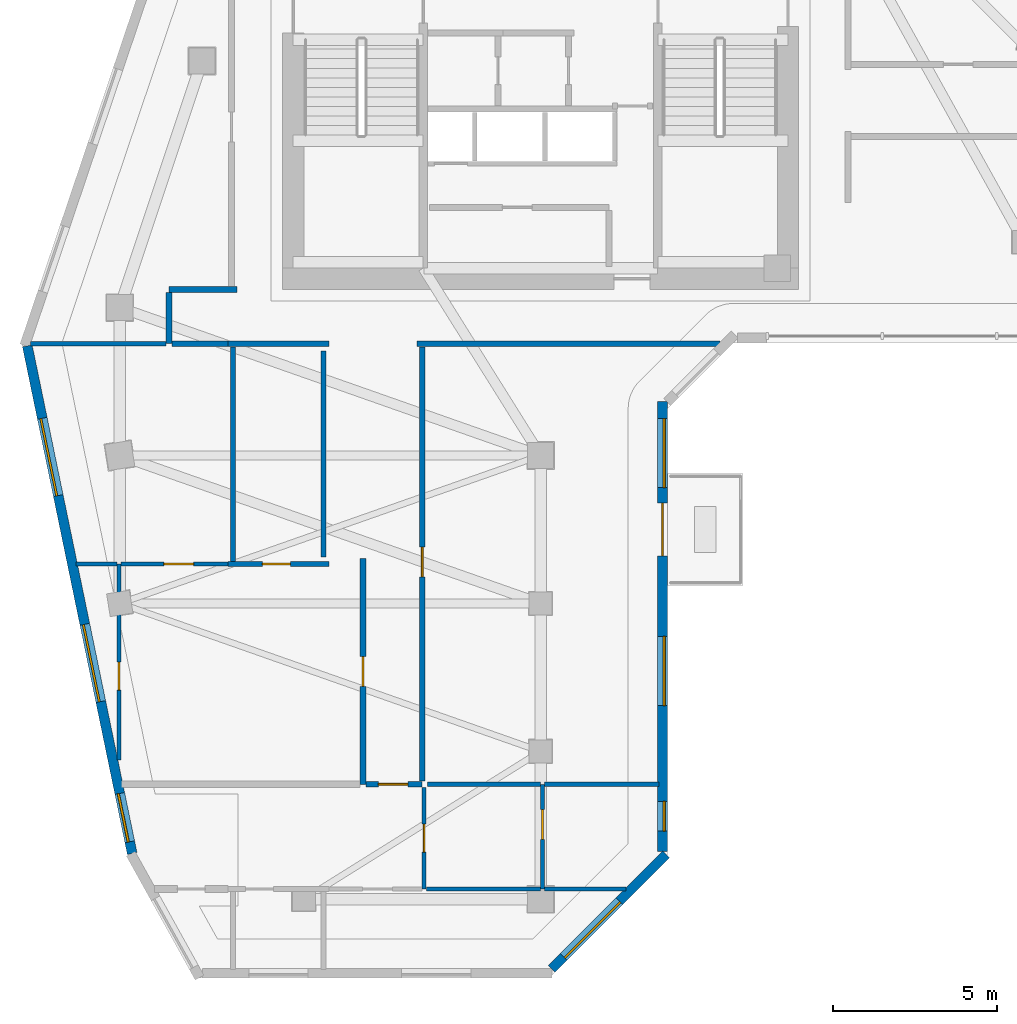
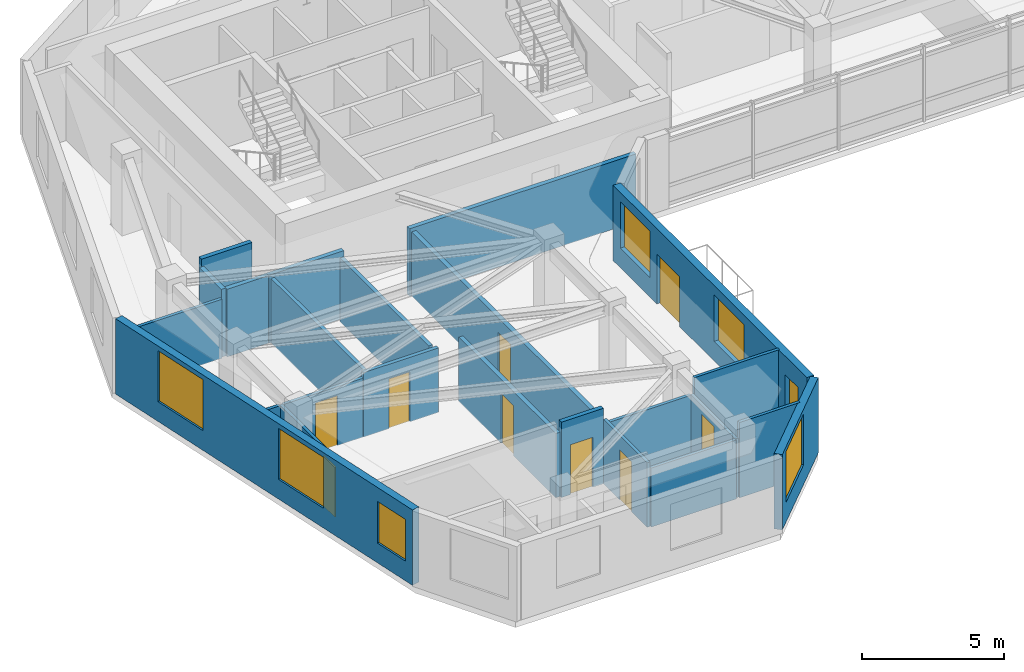
# One storey, part 4 of 10: 24 walls, 9 doors, 7 windows, 16 openings.
"""IFC4 building model written with IfcOpenShell, lengths in metres."""

from ifc_helpers import new_model, si_unit, direction, frame, frame_2d, origin, place, context, subcontext, project, spatial, rectangle, extrude, source, transform, mapped, material, layer, layer_set, type_object, element, fill, save


model = new_model("IFC4")

# Units and contexts
model_context = context("Model", 3, precision=1e-05, world=origin(), true_north=direction((0.0, 1.0)))
body_context = subcontext(model_context, "Body", "Model", "MODEL_VIEW")
ifc_project = project(units=[si_unit("LENGTHUNIT", "METRE"), si_unit("AREAUNIT", "SQUARE_METRE"), si_unit("VOLUMEUNIT", "CUBIC_METRE"), si_unit("PLANEANGLEUNIT", "RADIAN"), si_unit("MASSUNIT", "GRAM", prefix="KILO")], contexts=[model_context])

# Site, building, storey
site_placement = place(None, origin())
site = spatial("IfcSite", under=ifc_project, at=site_placement, CompositionType="ELEMENT")
building_placement = place(site_placement, origin())
building = spatial("IfcBuilding", under=site, at=building_placement, Name="Calvemar Wedge Station Tower", CompositionType="ELEMENT")
storey_placement = place(building_placement, frame((0.0, 0.0, 197.39990234375)))
storey = spatial("IfcBuildingStorey", under=building, at=storey_placement, Name="L49", CompositionType="ELEMENT", Elevation=197.39990234375)

# Walls
ifc_material_1 = material(Name="Double-stud fire-rated corridor partition")
ifc_layer_1 = layer(ifc_material_1, 0.179931640625)
ifc_layer_set_1 = layer_set([ifc_layer_1], Name="Double-stud fire-rated corridor partition")
wall_type_1 = type_object("IfcWallType", Name="W-CORR-180", PredefinedType="PARTITIONING", material=ifc_layer_set_1)
wall_1_placement = place(storey_placement, frame((12.5, 33.550048828125, 0.0), z_axis=(0.0, 0.0, 1.0), x_axis=(1.0, 0.0, 0.0)))
element("IfcWall", 1, at=wall_1_placement, inside=storey, type_object=wall_type_1, Name="Storey L49 Interior Partition WL-L49-008", PredefinedType="PARTITIONING", context=body_context, shape_type="SweptSolid", body=[
    extrude(rectangle(XDim=2.06005859375, YDim=0.179931640625, at=frame_2d((1.030029296875, 0.0))), origin(), (0.0, 0.0, 1.0), 3.25),
])
wall_2_placement = place(storey_placement, frame((12.5, 31.89990234375, 0.0), z_axis=(0.0, 0.0, 1.0), x_axis=(0.0, 1.0, 0.0)))
element("IfcWall", 2, at=wall_2_placement, inside=storey, type_object=wall_type_1, Name="Storey L49 Interior Partition WL-L49-009", PredefinedType="PARTITIONING", context=body_context, shape_type="SweptSolid", body=[
    extrude(rectangle(XDim=1.55615234375, YDim=0.179931640625, at=frame_2d((0.778076171875, 0.0))), origin(), (0.0, 0.0, 1.0), 2.919189453125),
])
wall_3_placement = place(storey_placement, frame((17.360107421875, 31.89990234375, 0.0), z_axis=(0.0, 0.0, 1.0), x_axis=(-1.0, 0.0, 0.0)))
element("IfcWall", 3, at=wall_3_placement, inside=storey, type_object=wall_type_1, Name="Storey L49 Interior Partition WL-L49-010", PredefinedType="PARTITIONING", context=body_context, shape_type="SweptSolid", body=[
    extrude(rectangle(XDim=3.070068359375, YDim=0.179931640625, at=frame_2d((1.53515625, 0.0))), origin(), (0.0, 0.0, 1.0), 2.919189453125),
])
wall_4_placement = place(storey_placement, frame((14.2880859375, 31.89990234375, 0.0), z_axis=(0.0, 0.0, 1.0), x_axis=(-1.0, 0.0, 0.0)))
element("IfcWall", 4, at=wall_4_placement, inside=storey, type_object=wall_type_1, Name="Storey L49 Interior Partition WL-L49-011", PredefinedType="PARTITIONING", context=body_context, shape_type="SweptSolid", body=[
    extrude(rectangle(XDim=1.694091796875, YDim=0.179931640625, at=frame_2d((0.84716796875, 0.0))), origin(), (0.0, 0.0, 1.0), 2.919189453125),
])
wall_5_placement = place(storey_placement, frame((29.26513671875, 31.89990234375, 0.0), z_axis=(0.0, 0.0, 1.0), x_axis=(-1.0, 0.0, 0.0)))
element("IfcWall", 5, at=wall_5_placement, inside=storey, type_object=wall_type_1, Name="Storey L49 Interior Partition WL-L49-012", PredefinedType="PARTITIONING", context=body_context, shape_type="SweptSolid", body=[
    extrude(rectangle(XDim=9.22509765625, YDim=0.179931640625, at=frame_2d((4.612548828125, 0.0))), origin(), (0.0, 0.0, 1.0), 2.919189453125),
])

# Wall, opening, door
wall_6_placement = place(storey_placement, frame((18.39990234375, 18.5, 0.0), z_axis=(0.0, 0.0, 1.0), x_axis=(0.0, 1.0, 0.0)))
wall_6 = element("IfcWall", 6, at=wall_6_placement, inside=storey, type_object=wall_type_1, Name="Storey L49 Interior Partition WL-L49-052", PredefinedType="PARTITIONING", context=body_context, shape_type="SweptSolid", body=[
    extrude(rectangle(XDim=6.860107421875, YDim=0.179931640625, at=frame_2d((3.43017578125, 0.0))), origin(), (0.0, 0.0, 1.0), 2.76611328125),
])
shared_shape_1 = source(origin(), body_context, "Body", "SweptSolid", [
    extrude(rectangle(XDim=0.89990234375, YDim=2.14990234375, at=frame_2d((0.449951171875, 1.074951171875))), frame((0.0, 0.10009765625, 0.0), z_axis=(0.0, -1.0, 0.0), x_axis=(1.0, 0.0, 0.0)), (0.0, 0.0, 1.0), 0.199951171875),
])
opening_1_placement = place(wall_6_placement, frame((2.97998046875, 0.0, 0.0)))
opening_1 = element("IfcOpeningElement", 7, at=opening_1_placement, cuts=wall_6, Name="Opening FD-60", PredefinedType="OPENING", context=body_context, shape_type="MappedRepresentation", body=[
    mapped(shared_shape_1, transform((0.0, 0.0, 0.0), scale=1.0)),
])
ifc_material_2 = material(Name="Fire-rated acoustic timber-core entrance door EI 60", Category="wood")
door_type_1 = type_object("IfcDoorType", Name="DR-FD60-900", OperationType="NOTDEFINED", PredefinedType="DOOR", material=ifc_material_2)
shared_shape_2 = source(origin(), body_context, "Body", "SweptSolid", [
    extrude(rectangle(XDim=0.89990234375, YDim=2.14990234375, at=frame_2d((0.449951171875, 1.074951171875))), frame((0.0, 0.02490234375, 0.0), z_axis=(0.0, -1.0, 0.0), x_axis=(1.0, 0.0, 0.0)), (0.0, 0.0, 1.0), 0.050048828125),
])
door_1_placement = place(opening_1_placement, origin())
door_1 = element("IfcDoor", 8, at=door_1_placement, inside=storey, type_object=door_type_1, Name="L49 Living Dining Door", OperationType="SINGLE_SWING_RIGHT", OverallHeight=2.14990234375, OverallWidth=0.89990234375, PredefinedType="DOOR", context=body_context, shape_type="MappedRepresentation", body=[
    mapped(shared_shape_2, transform((0.0, 0.0, 0.0), scale=1.0)),
])
fill(opening_1, door_1)

wall_7_placement = place(storey_placement, frame((20.199951171875, 18.5, 0.0), z_axis=(0.0, 0.0, 1.0), x_axis=(-1.0, 0.0, 0.0)))
wall_7 = element("IfcWall", 9, at=wall_7_placement, inside=storey, type_object=wall_type_1, Name="Storey L49 Interior Partition WL-L49-053", PredefinedType="PARTITIONING", context=body_context, shape_type="SweptSolid", body=[
    extrude(rectangle(XDim=1.7060546875, YDim=0.179931640625, at=frame_2d((0.85302734375, 0.0))), origin(), (0.0, 0.0, 1.0), 3.25),
])
opening_2_placement = place(wall_7_placement, frame((0.43359375, 0.0, 0.0)))
opening_2 = element("IfcOpeningElement", 10, at=opening_2_placement, cuts=wall_7, Name="Opening FD-60", PredefinedType="OPENING", context=body_context, shape_type="MappedRepresentation", body=[
    mapped(shared_shape_1, transform((0.0, 0.0, 0.0), scale=1.0)),
])
door_2_placement = place(opening_2_placement, origin())
door_2 = element("IfcDoor", 11, at=door_2_placement, inside=storey, type_object=door_type_1, Name="L49 Living Dining Door", OperationType="SINGLE_SWING_LEFT", OverallHeight=2.14990234375, OverallWidth=0.89990234375, PredefinedType="DOOR", context=body_context, shape_type="MappedRepresentation", body=[
    mapped(shared_shape_2, transform((0.0, 0.0, 0.0), scale=1.0)),
])
fill(opening_2, door_2)

wall_8_placement = place(storey_placement, frame((20.199951171875, 31.805908203125, 0.0), z_axis=(0.0, 0.0, 1.0), x_axis=(0.0, -1.0, 0.0)))
wall_8 = element("IfcWall", 12, at=wall_8_placement, inside=storey, type_object=wall_type_1, Name="Storey L49 Interior Partition WL-L49-054", PredefinedType="PARTITIONING", context=body_context, shape_type="SweptSolid", body=[
    extrude(rectangle(XDim=13.2119140625, YDim=0.179931640625, at=frame_2d((6.60595703125, 0.0))), origin(), (0.0, 0.0, 1.0), 2.76611328125),
])
opening_3_placement = place(wall_8_placement, frame((6.095458984375, 0.0, 0.0)))
opening_3 = element("IfcOpeningElement", 13, at=opening_3_placement, cuts=wall_8, Name="Opening D-01", PredefinedType="OPENING", context=body_context, shape_type="MappedRepresentation", body=[
    mapped(shared_shape_1, transform((0.0, 0.0, 0.0), scale=1.0)),
])
ifc_material_3 = material(Name="Architectural hardwood acoustic swing door", Category="wood")
door_type_2 = type_object("IfcDoorType", Name="DR-INT-900", OperationType="NOTDEFINED", PredefinedType="DOOR", material=ifc_material_3)
shared_shape_3 = source(origin(), body_context, "Body", "SweptSolid", [
    extrude(rectangle(XDim=0.89990234375, YDim=2.14990234375, at=frame_2d((0.449951171875, 1.074951171875))), frame((0.0, 0.02490234375, 0.0), z_axis=(0.0, -1.0, 0.0), x_axis=(1.0, 0.0, 0.0)), (0.0, 0.0, 1.0), 0.050048828125),
])
door_3_placement = place(opening_3_placement, origin())
door_3 = element("IfcDoor", 14, at=door_3_placement, inside=storey, type_object=door_type_2, Name="L49 Resident Study Lounge Door", OperationType="SINGLE_SWING_RIGHT", OverallHeight=2.14990234375, OverallWidth=0.89990234375, PredefinedType="DOOR", context=body_context, shape_type="MappedRepresentation", body=[
    mapped(shared_shape_3, transform((0.0, 0.0, 0.0), scale=1.0)),
])
fill(opening_3, door_3)

# Wall, opening, window
ifc_material_4 = material(Name="Precast concrete C45", Category="concrete")
ifc_layer_2 = layer(ifc_material_4, 0.300048828125)
ifc_layer_set_2 = layer_set([ifc_layer_2], Name="Precast concrete C45")
wall_type_2 = type_object("IfcWallType", Name="W-EXT-GFRC-300", PredefinedType="SOLIDWALL", material=ifc_layer_set_2)
wall_9_placement = place(storey_placement, frame((24.139892578125, 12.887939453125, 0.0), z_axis=(0.0, 0.0, 1.0), x_axis=(0.707106781187, 0.707106781187, 0.0)))
wall_9 = element("IfcWall", 15, at=wall_9_placement, inside=storey, type_object=wall_type_2, Name="Storey L49 Bronze GFRC Exterior Wall 3", PredefinedType="SOLIDWALL", context=body_context, shape_type="SweptSolid", body=[
    extrude(rectangle(XDim=4.921875, YDim=0.300048828125, at=frame_2d((2.4609375, 0.0))), origin(), (0.0, 0.0, 1.0), 3.25),
])
shared_shape_4 = source(origin(), body_context, "Body", "SweptSolid", [
    extrude(rectangle(XDim=2.39990234375, YDim=2.199951171875, at=frame_2d((1.199951171875, 1.10009765625))), frame((0.0, 0.16015625, 0.0), z_axis=(0.0, -1.0, 0.0), x_axis=(1.0, 0.0, 0.0)), (0.0, 0.0, 1.0), 0.320068359375),
])
opening_4_placement = place(wall_9_placement, frame((0.509033203125, 0.0, 0.85009765625)))
opening_4 = element("IfcOpeningElement", 16, at=opening_4_placement, cuts=wall_9, Name="Opening W1", PredefinedType="OPENING", context=body_context, shape_type="MappedRepresentation", body=[
    mapped(shared_shape_4, transform((0.0, 0.0, 0.0), scale=1.0)),
])
ifc_material_5 = material(Name="Low-E laminated insulated glass", Category="glass")
window_type_1 = type_object("IfcWindowType", Name="WIN-EXT-1", PartitioningType="SINGLE_PANEL", PredefinedType="WINDOW", material=ifc_material_5)
shared_shape_5 = source(origin(), body_context, "Body", "SweptSolid", [
    extrude(rectangle(XDim=2.39990234375, YDim=2.199951171875, at=frame_2d((1.199951171875, 1.10009765625))), frame((0.0, -0.014892578125, 0.0), z_axis=(0.0, -1.0, 0.0), x_axis=(1.0, 0.0, 0.0)), (0.0, 0.0, 1.0), 0.06005859375),
])
window_1_placement = place(opening_4_placement, origin())
window_1 = element("IfcWindow", 17, at=window_1_placement, inside=storey, type_object=window_type_1, Name="Storey L49 Recessed Window 3.1", OverallHeight=2.199951171875, OverallWidth=2.39990234375, PartitioningType="SINGLE_PANEL", PredefinedType="WINDOW", context=body_context, shape_type="MappedRepresentation", body=[
    mapped(shared_shape_5, transform((0.0, 0.0, 0.0), scale=1.0)),
])
fill(opening_4, window_1)

# Wall, openings, windows, door
wall_10_placement = place(storey_placement, frame((27.513916015625, 16.457275390625, 0.0), z_axis=(0.0, 0.0, 1.0), x_axis=(0.0, 1.0, 0.0)))
wall_10 = element("IfcWall", 18, at=wall_10_placement, inside=storey, type_object=wall_type_2, Name="Storey L49 Bronze GFRC Exterior Wall 4", PredefinedType="SOLIDWALL", context=body_context, shape_type="SweptSolid", body=[
    extrude(rectangle(XDim=13.6787109375, YDim=0.300048828125, at=frame_2d((6.83935546875, 0.0))), origin(), (0.0, 0.0, 1.0), 3.25),
])
shared_shape_6 = source(origin(), body_context, "Body", "SweptSolid", [
    extrude(rectangle(XDim=1.60009765625, YDim=2.14990234375, at=frame_2d((0.800048828125, 1.074951171875))), frame((0.0, 0.16015625, 0.0), z_axis=(0.0, -1.0, 0.0), x_axis=(1.0, 0.0, 0.0)), (0.0, 0.0, 1.0), 0.320068359375),
])
opening_5_placement = place(wall_10_placement, frame((8.992919921875, 0.0, 0.0)))
opening_5 = element("IfcOpeningElement", 19, at=opening_5_placement, cuts=wall_10, Name="Opening DT1", PredefinedType="OPENING", context=body_context, shape_type="MappedRepresentation", body=[
    mapped(shared_shape_6, transform((0.0, 0.0, 0.0), scale=1.0)),
])
shared_shape_7 = source(origin(), body_context, "Body", "SweptSolid", [
    extrude(rectangle(XDim=0.89990234375, YDim=1.60009765625, at=frame_2d((0.449951171875, 0.800048828125))), frame((0.0, 0.16015625, 0.0), z_axis=(0.0, -1.0, 0.0), x_axis=(1.0, 0.0, 0.0)), (0.0, 0.0, 1.0), 0.320068359375),
])
opening_6_placement = place(wall_10_placement, frame((0.62109375, 0.0, 0.85009765625)))
opening_6 = element("IfcOpeningElement", 20, at=opening_6_placement, cuts=wall_10, Name="Opening W7", PredefinedType="OPENING", context=body_context, shape_type="MappedRepresentation", body=[
    mapped(shared_shape_7, transform((0.0, 0.0, 0.0), scale=1.0)),
])
shared_shape_8 = source(origin(), body_context, "Body", "SweptSolid", [
    extrude(rectangle(XDim=2.10009765625, YDim=2.0, at=frame_2d((1.050048828125, 1.0))), frame((0.0, 0.16015625, 0.0), z_axis=(0.0, -1.0, 0.0), x_axis=(1.0, 0.0, 0.0)), (0.0, 0.0, 1.0), 0.320068359375),
])
opening_7_placement = place(wall_10_placement, frame((4.43798828125, 0.0, 0.85009765625)))
opening_7 = element("IfcOpeningElement", 21, at=opening_7_placement, cuts=wall_10, Name="Opening W4", PredefinedType="OPENING", context=body_context, shape_type="MappedRepresentation", body=[
    mapped(shared_shape_8, transform((0.0, 0.0, 0.0), scale=1.0)),
])
opening_8_placement = place(wall_10_placement, frame((11.06591796875, 0.0, 0.85009765625)))
opening_8 = element("IfcOpeningElement", 22, at=opening_8_placement, cuts=wall_10, Name="Opening W4", PredefinedType="OPENING", context=body_context, shape_type="MappedRepresentation", body=[
    mapped(shared_shape_8, transform((0.0, 0.0, 0.0), scale=1.0)),
])
window_type_2 = type_object("IfcWindowType", Name="WIN-EXT-4", PartitioningType="SINGLE_PANEL", PredefinedType="WINDOW", material=ifc_material_5)
shared_shape_9 = source(origin(), body_context, "Body", "SweptSolid", [
    extrude(rectangle(XDim=2.10009765625, YDim=2.0, at=frame_2d((1.050048828125, 1.0))), frame((0.0, -0.014892578125, 0.0), z_axis=(0.0, -1.0, 0.0), x_axis=(1.0, 0.0, 0.0)), (0.0, 0.0, 1.0), 0.06005859375),
])
window_2_placement = place(opening_7_placement, origin())
window_2 = element("IfcWindow", 23, at=window_2_placement, inside=storey, type_object=window_type_2, Name="Storey L49 Recessed Window 4.2", OverallHeight=2.0, OverallWidth=2.10009765625, PartitioningType="SINGLE_PANEL", PredefinedType="WINDOW", context=body_context, shape_type="MappedRepresentation", body=[
    mapped(shared_shape_9, transform((0.0, 0.0, 0.0), scale=1.0)),
])
fill(opening_7, window_2)
window_3_placement = place(opening_8_placement, origin())
window_3 = element("IfcWindow", 24, at=window_3_placement, inside=storey, type_object=window_type_2, Name="Storey L49 Recessed Window 4.3", OverallHeight=2.0, OverallWidth=2.10009765625, PartitioningType="SINGLE_PANEL", PredefinedType="WINDOW", context=body_context, shape_type="MappedRepresentation", body=[
    mapped(shared_shape_9, transform((0.0, 0.0, 0.0), scale=1.0)),
])
fill(opening_8, window_3)
ifc_material_6 = material(Name="Anodised aluminium 6063-T6", Category="aluminium")
door_type_3 = type_object("IfcDoorType", Name="DR-TERR-1600", OperationType="DOUBLE_DOOR_SLIDING", PredefinedType="DOOR", material=ifc_material_6)
shared_shape_10 = source(origin(), body_context, "Body", "SweptSolid", [
    extrude(rectangle(XDim=1.60009765625, YDim=2.14990234375, at=frame_2d((0.800048828125, 1.074951171875))), frame((0.0, 0.02490234375, 0.0), z_axis=(0.0, -1.0, 0.0), x_axis=(1.0, 0.0, 0.0)), (0.0, 0.0, 1.0), 0.050048828125),
])
door_4_placement = place(opening_5_placement, origin())
door_4 = element("IfcDoor", 25, at=door_4_placement, inside=storey, type_object=door_type_3, Name="Storey L49 Spiral Terrace Door", OperationType="DOUBLE_DOOR_SLIDING", OverallHeight=2.14990234375, OverallWidth=1.60009765625, PredefinedType="DOOR", context=body_context, shape_type="MappedRepresentation", body=[
    mapped(shared_shape_10, transform((0.0, 0.0, 0.0), scale=1.0)),
])
fill(opening_5, door_4)
window_type_3 = type_object("IfcWindowType", Name="WIN-EXT-7", PartitioningType="SINGLE_PANEL", PredefinedType="WINDOW", material=ifc_material_5)
shared_shape_11 = source(origin(), body_context, "Body", "SweptSolid", [
    extrude(rectangle(XDim=0.89990234375, YDim=1.60009765625, at=frame_2d((0.449951171875, 0.800048828125))), frame((0.0, -0.014892578125, 0.0), z_axis=(0.0, -1.0, 0.0), x_axis=(1.0, 0.0, 0.0)), (0.0, 0.0, 1.0), 0.06005859375),
])
window_4_placement = place(opening_6_placement, origin())
window_4 = element("IfcWindow", 26, at=window_4_placement, inside=storey, type_object=window_type_3, Name="Storey L49 Recessed Window 4.1", OverallHeight=1.60009765625, OverallWidth=0.89990234375, PartitioningType="SINGLE_PANEL", PredefinedType="WINDOW", context=body_context, shape_type="MappedRepresentation", body=[
    mapped(shared_shape_11, transform((0.0, 0.0, 0.0), scale=1.0)),
])
fill(opening_6, window_4)

# Wall, openings, windows
wall_11_placement = place(storey_placement, frame((8.1875, 31.833984375, 0.0), z_axis=(0.0, 0.0, 1.0), x_axis=(0.202303475707, -0.979322880217, 0.0)))
wall_11 = element("IfcWall", 27, at=wall_11_placement, inside=storey, type_object=wall_type_2, Name="Storey L49 Bronze GFRC Exterior Wall 13", PredefinedType="SOLIDWALL", context=body_context, shape_type="SweptSolid", body=[
    extrude(rectangle(XDim=15.765625, YDim=0.300048828125, at=frame_2d((7.8828125, 0.0))), origin(), (0.0, 0.0, 1.0), 3.25),
])
opening_9_placement = place(wall_11_placement, frame((2.2490234375, 0.0, 0.85009765625)))
opening_9 = element("IfcOpeningElement", 28, at=opening_9_placement, cuts=wall_11, Name="Opening W1", PredefinedType="OPENING", context=body_context, shape_type="MappedRepresentation", body=[
    mapped(shared_shape_4, transform((0.0, 0.0, 0.0), scale=1.0)),
])
opening_10_placement = place(wall_11_placement, frame((8.64794921875, 0.0, 0.85009765625)))
opening_10 = element("IfcOpeningElement", 29, at=opening_10_placement, cuts=wall_11, Name="Opening W1", PredefinedType="OPENING", context=body_context, shape_type="MappedRepresentation", body=[
    mapped(shared_shape_4, transform((0.0, 0.0, 0.0), scale=1.0)),
])
shared_shape_12 = source(origin(), body_context, "Body", "SweptSolid", [
    extrude(rectangle(XDim=1.5, YDim=1.800048828125, at=frame_2d((0.75, 0.89990234375))), frame((0.0, 0.16015625, 0.0), z_axis=(0.0, -1.0, 0.0), x_axis=(1.0, 0.0, 0.0)), (0.0, 0.0, 1.0), 0.320068359375),
])
opening_11_placement = place(wall_11_placement, frame((13.902099609375, 0.0, 0.85009765625)))
opening_11 = element("IfcOpeningElement", 30, at=opening_11_placement, cuts=wall_11, Name="Opening W3", PredefinedType="OPENING", context=body_context, shape_type="MappedRepresentation", body=[
    mapped(shared_shape_12, transform((0.0, 0.0, 0.0), scale=1.0)),
])
window_5_placement = place(opening_9_placement, origin())
window_5 = element("IfcWindow", 31, at=window_5_placement, inside=storey, type_object=window_type_1, Name="Storey L49 Recessed Window 13.1", OverallHeight=2.199951171875, OverallWidth=2.39990234375, PartitioningType="SINGLE_PANEL", PredefinedType="WINDOW", context=body_context, shape_type="MappedRepresentation", body=[
    mapped(shared_shape_5, transform((0.0, 0.0, 0.0), scale=1.0)),
])
fill(opening_9, window_5)
window_6_placement = place(opening_10_placement, origin())
window_6 = element("IfcWindow", 32, at=window_6_placement, inside=storey, type_object=window_type_1, Name="Storey L49 Recessed Window 13.2", OverallHeight=2.199951171875, OverallWidth=2.39990234375, PartitioningType="SINGLE_PANEL", PredefinedType="WINDOW", context=body_context, shape_type="MappedRepresentation", body=[
    mapped(shared_shape_5, transform((0.0, 0.0, 0.0), scale=1.0)),
])
fill(opening_10, window_6)
window_type_4 = type_object("IfcWindowType", Name="WIN-EXT-3", PartitioningType="SINGLE_PANEL", PredefinedType="WINDOW", material=ifc_material_5)
shared_shape_13 = source(origin(), body_context, "Body", "SweptSolid", [
    extrude(rectangle(XDim=1.5, YDim=1.800048828125, at=frame_2d((0.75, 0.89990234375))), frame((0.0, -0.014892578125, 0.0), z_axis=(0.0, -1.0, 0.0), x_axis=(1.0, 0.0, 0.0)), (0.0, 0.0, 1.0), 0.06005859375),
])
window_7_placement = place(opening_11_placement, origin())
window_7 = element("IfcWindow", 33, at=window_7_placement, inside=storey, type_object=window_type_4, Name="Storey L49 Recessed Window 13.3", OverallHeight=1.800048828125, OverallWidth=1.5, PartitioningType="SINGLE_PANEL", PredefinedType="WINDOW", context=body_context, shape_type="MappedRepresentation", body=[
    mapped(shared_shape_13, transform((0.0, 0.0, 0.0), scale=1.0)),
])
fill(opening_11, window_7)

# Wall
ifc_material_7 = material(Name="Insulated acoustic gypsum stud partition")
ifc_layer_3 = layer(ifc_material_7, 0.125)
ifc_layer_set_3 = layer_set([ifc_layer_3], Name="Insulated acoustic gypsum stud partition")
wall_type_3 = type_object("IfcWallType", Name="W-PART-125", PredefinedType="PARTITIONING", material=ifc_layer_set_3)
wall_12_placement = place(storey_placement, frame((12.406005859375, 31.89990234375, 0.0), z_axis=(0.0, 0.0, 1.0), x_axis=(-1.0, 0.0, 0.0)))
element("IfcWall", 34, at=wall_12_placement, inside=storey, type_object=wall_type_3, Name="Storey L49 Interior Partition WL-L49-022", PredefinedType="PARTITIONING", context=body_context, shape_type="SweptSolid", body=[
    extrude(rectangle(XDim=4.11474609375, YDim=0.125, at=frame_2d((2.057373046875, 0.0))), origin(), (0.0, 0.0, 1.0), 2.5419921875),
])

# Wall, opening, door
wall_13_placement = place(storey_placement, frame((10.97802734375, 19.240234375, 0.0), z_axis=(0.0, 0.0, 1.0), x_axis=(0.0, 1.0, 0.0)))
wall_13 = element("IfcWall", 35, at=wall_13_placement, inside=storey, type_object=wall_type_3, Name="Storey L49 Interior Partition WL-L49-055", PredefinedType="PARTITIONING", context=body_context, shape_type="SweptSolid", body=[
    extrude(rectangle(XDim=5.959716796875, YDim=0.125, at=frame_2d((2.97998046875, 0.0))), origin(), (0.0, 0.0, 1.0), 2.5419921875),
])
shared_shape_14 = source(origin(), body_context, "Body", "SweptSolid", [
    extrude(rectangle(XDim=0.85009765625, YDim=2.14990234375, at=frame_2d((0.425048828125, 1.074951171875))), frame((0.0, 0.072509765625, 0.0), z_axis=(0.0, -1.0, 0.0), x_axis=(1.0, 0.0, 0.0)), (0.0, 0.0, 1.0), 0.14501953125),
])
opening_12_placement = place(wall_13_placement, frame((2.12451171875, 0.0, 0.0)))
opening_12 = element("IfcOpeningElement", 36, at=opening_12_placement, cuts=wall_13, Name="Opening D-02", PredefinedType="OPENING", context=body_context, shape_type="MappedRepresentation", body=[
    mapped(shared_shape_14, transform((0.0, 0.0, 0.0), scale=1.0)),
])
ifc_material_8 = material(Name="Moisture-sealed bathroom hardwood swing door", Category="wood")
door_type_4 = type_object("IfcDoorType", Name="DR-WET-850", OperationType="NOTDEFINED", PredefinedType="DOOR", material=ifc_material_8)
shared_shape_15 = source(origin(), body_context, "Body", "SweptSolid", [
    extrude(rectangle(XDim=0.85009765625, YDim=2.14990234375, at=frame_2d((0.425048828125, 1.074951171875))), frame((0.0, 0.02490234375, 0.0), z_axis=(0.0, -1.0, 0.0), x_axis=(1.0, 0.0, 0.0)), (0.0, 0.0, 1.0), 0.050048828125),
])
door_5_placement = place(opening_12_placement, origin())
door_5 = element("IfcDoor", 37, at=door_5_placement, inside=storey, type_object=door_type_4, Name="L49 Kitchen Door", OperationType="SINGLE_SWING_LEFT", OverallHeight=2.14990234375, OverallWidth=0.85009765625, PredefinedType="DOOR", context=body_context, shape_type="MappedRepresentation", body=[
    mapped(shared_shape_15, transform((0.0, 0.0, 0.0), scale=1.0)),
])
fill(opening_12, door_5)

wall_14_placement = place(storey_placement, frame((11.04443359375, 25.199951171875, 0.0), z_axis=(0.0, 0.0, 1.0), x_axis=(1.0, 0.0, 0.0)))
wall_14 = element("IfcWall", 38, at=wall_14_placement, inside=storey, type_object=wall_type_3, Name="Storey L49 Interior Partition WL-L49-057", PredefinedType="PARTITIONING", context=body_context, shape_type="SweptSolid", body=[
    extrude(rectangle(XDim=3.24365234375, YDim=0.125, at=frame_2d((1.621826171875, 0.0))), origin(), (0.0, 0.0, 1.0), 2.5419921875),
])
shared_shape_16 = source(origin(), body_context, "Body", "SweptSolid", [
    extrude(rectangle(XDim=0.89990234375, YDim=2.14990234375, at=frame_2d((0.449951171875, 1.074951171875))), frame((0.0, 0.072509765625, 0.0), z_axis=(0.0, -1.0, 0.0), x_axis=(1.0, 0.0, 0.0)), (0.0, 0.0, 1.0), 0.14501953125),
])
opening_13_placement = place(wall_14_placement, frame((1.299072265625, 0.0, 0.0)))
opening_13 = element("IfcOpeningElement", 39, at=opening_13_placement, cuts=wall_14, Name="Opening D-01", PredefinedType="OPENING", context=body_context, shape_type="MappedRepresentation", body=[
    mapped(shared_shape_16, transform((0.0, 0.0, 0.0), scale=1.0)),
])
door_6_placement = place(opening_13_placement, origin())
door_6 = element("IfcDoor", 40, at=door_6_placement, inside=storey, type_object=door_type_2, Name="L49 Master Bedroom Door", OperationType="SINGLE_SWING_LEFT", OverallHeight=2.14990234375, OverallWidth=0.89990234375, PredefinedType="DOOR", context=body_context, shape_type="MappedRepresentation", body=[
    mapped(shared_shape_3, transform((0.0, 0.0, 0.0), scale=1.0)),
])
fill(opening_13, door_6)

# Wall
wall_15_placement = place(storey_placement, frame((9.67529296875, 25.199951171875, 0.0), z_axis=(0.0, 0.0, 1.0), x_axis=(1.0, 0.0, 0.0)))
element("IfcWall", 41, at=wall_15_placement, inside=storey, type_object=wall_type_3, Name="Storey L49 Interior Partition WL-L49-059", PredefinedType="PARTITIONING", context=body_context, shape_type="SweptSolid", body=[
    extrude(rectangle(XDim=1.236328125, YDim=0.125, at=frame_2d((0.6181640625, 0.0))), origin(), (0.0, 0.0, 1.0), 2.5419921875),
])

# Wall, opening, door
wall_16_placement = place(storey_placement, frame((23.85888671875, 15.31494140625, 0.0), z_axis=(0.0, 0.0, 1.0), x_axis=(0.0, 1.0, 0.0)))
wall_16 = element("IfcWall", 42, at=wall_16_placement, inside=storey, type_object=wall_type_3, Name="Storey L49 Interior Partition WL-L49-061", PredefinedType="PARTITIONING", context=body_context, shape_type="SweptSolid", body=[
    extrude(rectangle(XDim=3.18505859375, YDim=0.125, at=frame_2d((1.592529296875, 0.0))), origin(), (0.0, 0.0, 1.0), 2.5419921875),
])
opening_14_placement = place(wall_16_placement, frame((1.51220703125, 0.0, 0.0)))
opening_14 = element("IfcOpeningElement", 43, at=opening_14_placement, cuts=wall_16, Name="Opening D-01", PredefinedType="OPENING", context=body_context, shape_type="MappedRepresentation", body=[
    mapped(shared_shape_16, transform((0.0, 0.0, 0.0), scale=1.0)),
])
door_7_placement = place(opening_14_placement, origin())
door_7 = element("IfcDoor", 44, at=door_7_placement, inside=storey, type_object=door_type_2, Name="L49 Study Door", OperationType="SINGLE_SWING_RIGHT", OverallHeight=2.14990234375, OverallWidth=0.89990234375, PredefinedType="DOOR", context=body_context, shape_type="MappedRepresentation", body=[
    mapped(shared_shape_3, transform((0.0, 0.0, 0.0), scale=1.0)),
])
fill(opening_14, door_7)

# Walls
wall_17_placement = place(storey_placement, frame((26.404296875, 15.31494140625, 0.0), z_axis=(0.0, 0.0, 1.0), x_axis=(-1.0, 0.0, 0.0)))
element("IfcWall", 45, at=wall_17_placement, inside=storey, type_object=wall_type_3, Name="Storey L49 Interior Partition WL-L49-062", PredefinedType="PARTITIONING", context=body_context, shape_type="SweptSolid", body=[
    extrude(rectangle(XDim=2.478759765625, YDim=0.125, at=frame_2d((1.2392578125, 0.0))), origin(), (0.0, 0.0, 1.0), 3.25),
])
wall_18_placement = place(storey_placement, frame((23.925537109375, 18.5, 0.0), z_axis=(0.0, 0.0, 1.0), x_axis=(1.0, 0.0, 0.0)))
element("IfcWall", 46, at=wall_18_placement, inside=storey, type_object=wall_type_3, Name="Storey L49 Interior Partition WL-L49-063", PredefinedType="PARTITIONING", context=body_context, shape_type="SweptSolid", body=[
    extrude(rectangle(XDim=3.473388671875, YDim=0.125, at=frame_2d((1.73681640625, 0.0))), origin(), (0.0, 0.0, 1.0), 3.25),
])

# Wall, opening, door
wall_19_placement = place(storey_placement, frame((20.259033203125, 18.406005859375, 0.0), z_axis=(0.0, 0.0, 1.0), x_axis=(0.0, -1.0, 0.0)))
wall_19 = element("IfcWall", 47, at=wall_19_placement, inside=storey, type_object=wall_type_3, Name="Storey L49 Interior Partition WL-L49-064", PredefinedType="PARTITIONING", context=body_context, shape_type="SweptSolid", body=[
    extrude(rectangle(XDim=3.091064453125, YDim=0.125, at=frame_2d((1.54541015625, 0.0))), origin(), (0.0, 0.0, 1.0), 2.779052734375),
])
opening_15_placement = place(wall_19_placement, frame((1.12060546875, 0.0, 0.0)))
opening_15 = element("IfcOpeningElement", 48, at=opening_15_placement, cuts=wall_19, Name="Opening D-02", PredefinedType="OPENING", context=body_context, shape_type="MappedRepresentation", body=[
    mapped(shared_shape_14, transform((0.0, 0.0, 0.0), scale=1.0)),
])
door_8_placement = place(opening_15_placement, origin())
door_8 = element("IfcDoor", 49, at=door_8_placement, inside=storey, type_object=door_type_4, Name="L49 Kitchen Door", OperationType="SINGLE_SWING_RIGHT", OverallHeight=2.14990234375, OverallWidth=0.85009765625, PredefinedType="DOOR", context=body_context, shape_type="MappedRepresentation", body=[
    mapped(shared_shape_15, transform((0.0, 0.0, 0.0), scale=1.0)),
])
fill(opening_15, door_8)

# Walls
wall_20_placement = place(storey_placement, frame((23.79248046875, 15.31494140625, 0.0), z_axis=(0.0, 0.0, 1.0), x_axis=(-1.0, 0.0, 0.0)))
element("IfcWall", 50, at=wall_20_placement, inside=storey, type_object=wall_type_3, Name="Storey L49 Interior Partition WL-L49-068", PredefinedType="PARTITIONING", context=body_context, shape_type="SweptSolid", body=[
    extrude(rectangle(XDim=3.467041015625, YDim=0.125, at=frame_2d((1.7333984375, 0.0))), origin(), (0.0, 0.0, 1.0), 2.5419921875),
])
wall_21_placement = place(storey_placement, frame((20.35302734375, 18.5, 0.0), z_axis=(0.0, 0.0, 1.0), x_axis=(1.0, 0.0, 0.0)))
element("IfcWall", 51, at=wall_21_placement, inside=storey, type_object=wall_type_3, Name="Storey L49 Interior Partition WL-L49-069", PredefinedType="PARTITIONING", context=body_context, shape_type="SweptSolid", body=[
    extrude(rectangle(XDim=3.439453125, YDim=0.125, at=frame_2d((1.7197265625, 0.0))), origin(), (0.0, 0.0, 1.0), 2.5419921875),
])

# Wall, opening, door
ifc_material_9 = material(Name="Moisture-resistant acoustic bathroom partition")
ifc_layer_4 = layer(ifc_material_9, 0.14990234375)
ifc_layer_set_4 = layer_set([ifc_layer_4], Name="Moisture-resistant acoustic bathroom partition")
wall_type_4 = type_object("IfcWallType", Name="W-WET-150", PredefinedType="PARTITIONING", material=ifc_layer_set_4)
wall_22_placement = place(storey_placement, frame((14.2900390625, 25.199951171875, 0.0), z_axis=(0.0, 0.0, 1.0), x_axis=(1.0, 0.0, 0.0)))
wall_22 = element("IfcWall", 52, at=wall_22_placement, inside=storey, type_object=wall_type_4, Name="Storey L49 Interior Partition WL-L49-056", PredefinedType="PARTITIONING", context=body_context, shape_type="SweptSolid", body=[
    extrude(rectangle(XDim=3.070068359375, YDim=0.14990234375, at=frame_2d((1.53515625, 0.0))), origin(), (0.0, 0.0, 1.0), 2.779052734375),
])
shared_shape_17 = source(origin(), body_context, "Body", "SweptSolid", [
    extrude(rectangle(XDim=0.85009765625, YDim=2.14990234375, at=frame_2d((0.425048828125, 1.074951171875))), frame((0.0, 0.0849609375, 0.0), z_axis=(0.0, -1.0, 0.0), x_axis=(1.0, 0.0, 0.0)), (0.0, 0.0, 1.0), 0.169921875),
])
opening_16_placement = place(wall_22_placement, frame((1.046142578125, 0.0, 0.0)))
opening_16 = element("IfcOpeningElement", 53, at=opening_16_placement, cuts=wall_22, Name="Opening D-02", PredefinedType="OPENING", context=body_context, shape_type="MappedRepresentation", body=[
    mapped(shared_shape_17, transform((0.0, 0.0, 0.0), scale=1.0)),
])
door_9_placement = place(opening_16_placement, origin())
door_9 = element("IfcDoor", 54, at=door_9_placement, inside=storey, type_object=door_type_4, Name="L49 Bathroom Door", OperationType="SINGLE_SWING_RIGHT", OverallHeight=2.14990234375, OverallWidth=0.85009765625, PredefinedType="DOOR", context=body_context, shape_type="MappedRepresentation", body=[
    mapped(shared_shape_15, transform((0.0, 0.0, 0.0), scale=1.0)),
])
fill(opening_16, door_9)

# Walls
wall_23_placement = place(storey_placement, frame((14.449951171875, 25.279052734375, 0.0), z_axis=(0.0, 0.0, 1.0), x_axis=(0.0, 1.0, 0.0)))
element("IfcWall", 55, at=wall_23_placement, inside=storey, type_object=wall_type_4, Name="Storey L49 Interior Partition WL-L49-060", PredefinedType="PARTITIONING", context=body_context, shape_type="SweptSolid", body=[
    extrude(rectangle(XDim=6.52685546875, YDim=0.14990234375, at=frame_2d((3.263427734375, 0.0))), origin(), (0.0, 0.0, 1.0), 2.76611328125),
])
wall_24_placement = place(storey_placement, frame((17.199951171875, 31.679931640625, 0.0), z_axis=(0.0, 0.0, 1.0), x_axis=(0.0, -1.0, 0.0)))
element("IfcWall", 56, at=wall_24_placement, inside=storey, type_object=wall_type_4, Name="Storey L49 Bathroom Enclosure Wall WL-L49-072", PredefinedType="PARTITIONING", context=body_context, shape_type="SweptSolid", body=[
    extrude(rectangle(XDim=6.260009765625, YDim=0.14990234375, at=frame_2d((3.1298828125, 0.0))), origin(), (0.0, 0.0, 1.0), 2.76611328125),
])

save(model, "model.ifc")
